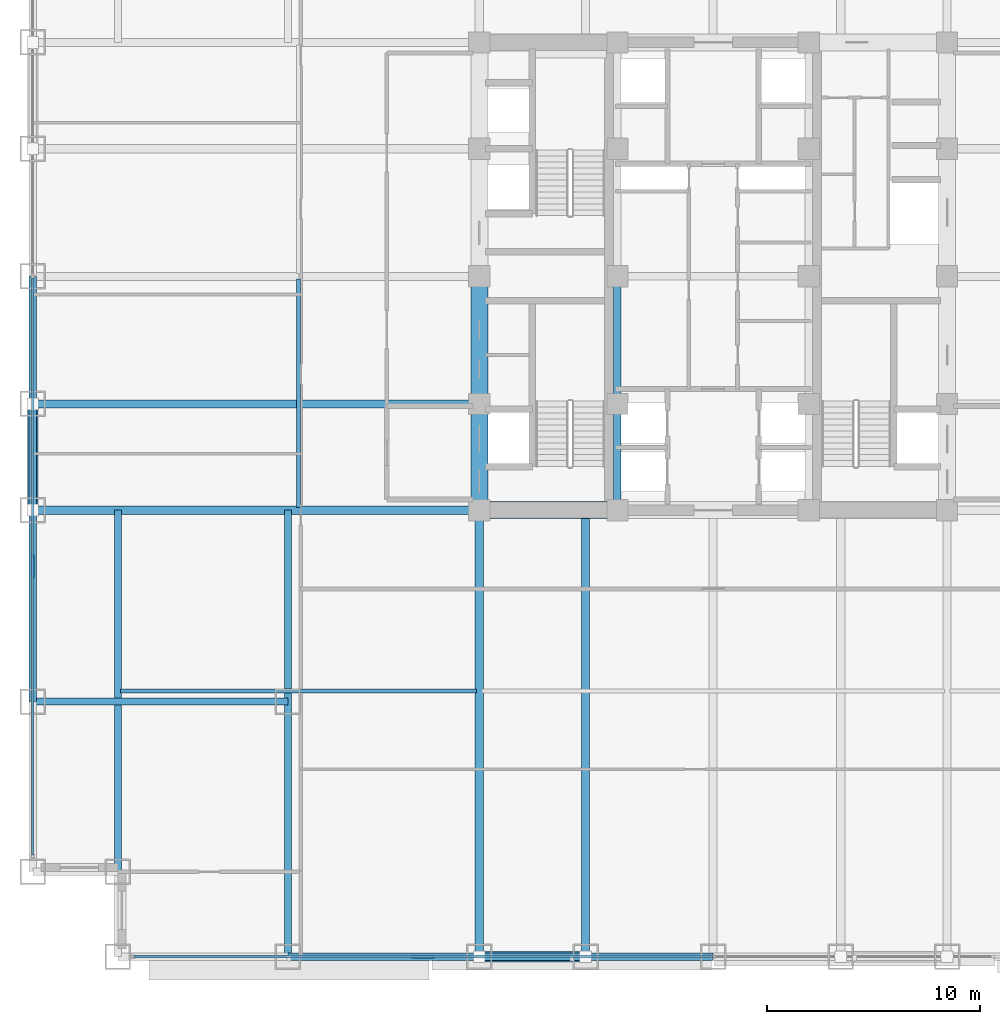
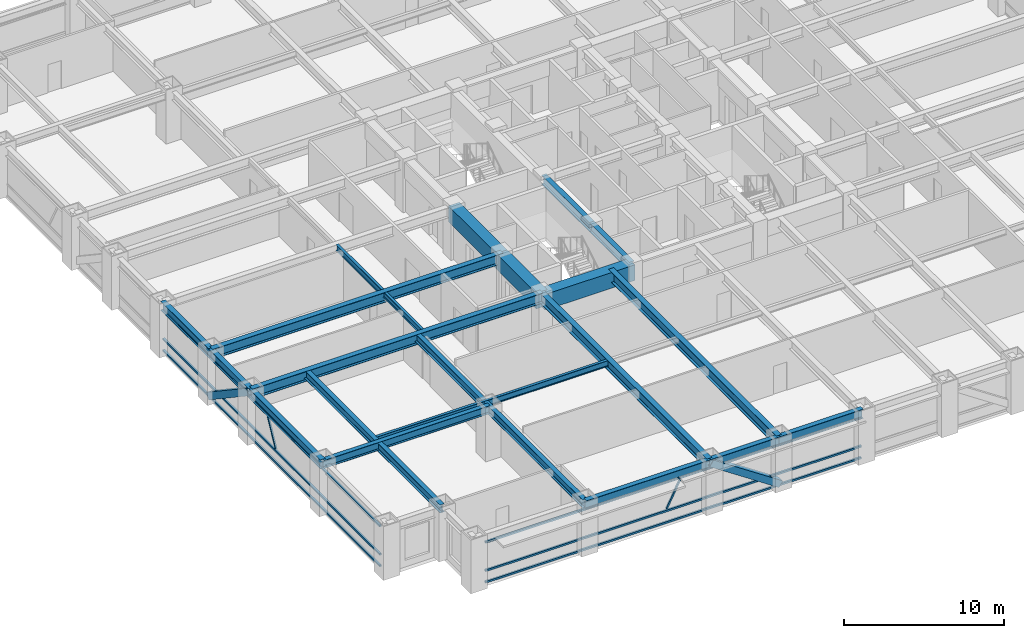
# One storey, part 3 of 32: 20 beams, 10 members, 2 elements without a shape of their own.
"""IFC4 building model written with IfcOpenShell, lengths in metres."""

from ifc_helpers import new_model, si_unit, direction, frame, origin, origin_2d, place, context, subcontext, project, spatial, rectangle, hollow_rectangle, i_section, extrude, source, transform, mapped, material, material_profile, profile_set, type_object, element, aggregate, save


model = new_model("IFC4")

# Units and contexts
model_context = context("Model", 3, precision=1e-05, world=origin(), true_north=direction((0.0, 1.0)))
body_context = subcontext(model_context, "Body", "Model", "MODEL_VIEW")
ifc_project = project(units=[si_unit("LENGTHUNIT", "METRE"), si_unit("AREAUNIT", "SQUARE_METRE"), si_unit("VOLUMEUNIT", "CUBIC_METRE"), si_unit("PLANEANGLEUNIT", "RADIAN"), si_unit("MASSUNIT", "GRAM", prefix="KILO")], contexts=[model_context])

# Site, building, storey
site_placement = place(None, origin())
site = spatial("IfcSite", under=ifc_project, at=site_placement, CompositionType="ELEMENT")
building_placement = place(site_placement, origin())
building = spatial("IfcBuilding", under=site, at=building_placement, Name="Khorayat Bourse Tower", CompositionType="ELEMENT")
storey_placement = place(building_placement, frame((0.0, 0.0, 95.5)))
storey = spatial("IfcBuildingStorey", under=building, at=storey_placement, Name="L21", CompositionType="ELEMENT", Elevation=95.5)

# Beams
ifc_material_1 = material(Name="Concrete C72/90", Category="concrete")
ifc_material_profile_1 = material_profile(ifc_material_1, rectangle(XDim=0.800048828125, YDim=1.199951171875, at=origin_2d()), Name="RC 800x1200")
ifc_profile_set_1 = profile_set([ifc_material_profile_1], Name="Concrete C72/90")
beam_type_1 = type_object("IfcBeamType", Name="BM-COUP-1200", PredefinedType="BEAM", material=ifc_profile_set_1)
shared_shape_1 = source(origin(), body_context, "Body", "SweptSolid", [
    extrude(rectangle(XDim=0.800048828125, YDim=1.199951171875, at=origin_2d()), origin(), (0.0, 0.0, 1.0), 5.0),
])
beam_1_placement = place(storey_placement, frame((-11.0, -11.0, 3.239990234375), z_axis=(0.0, 1.0, 0.0), x_axis=(-1.0, 0.0, 0.0)))
element("IfcBeam", 1, at=beam_1_placement, inside=storey, type_object=beam_type_1, Name="L21 BM-COUP-1200 BM-L21-CRX-01", PredefinedType="BEAM", context=body_context, shape_type="MappedRepresentation", body=[
    mapped(shared_shape_1, transform((0.0, 0.0, 0.0), scale=1.0)),
])
shared_shape_2 = source(origin(), body_context, "Body", "SweptSolid", [
    extrude(rectangle(XDim=0.800048828125, YDim=1.199951171875, at=origin_2d()), origin(), (0.0, 0.0, 1.0), 6.0),
])
beam_2_placement = place(storey_placement, frame((-11.0, -6.0, 3.239990234375), z_axis=(0.0, 1.0, 0.0), x_axis=(-1.0, 0.0, 0.0)))
element("IfcBeam", 2, at=beam_2_placement, inside=storey, type_object=beam_type_1, Name="L21 BM-COUP-1200 BM-L21-CRX-02", PredefinedType="BEAM", context=body_context, shape_type="MappedRepresentation", body=[
    mapped(shared_shape_2, transform((0.0, 0.0, 0.0), scale=1.0)),
])
ifc_material_2 = material(Name="Steel ASTM A992 Grade 50", Category="steel")
ifc_material_profile_2 = material_profile(ifc_material_2, i_section(OverallWidth=0.35498046875, OverallDepth=0.695068359375, WebThickness=0.015380859375, FlangeThickness=0.02490234375, FilletRadius=0.01806640625, at=origin_2d()), Name="W690X217")
ifc_profile_set_2 = profile_set([ifc_material_profile_2], Name="Steel ASTM A992 Grade 50")
beam_type_2 = type_object("IfcBeamType", Name="BM-GIRD-690", PredefinedType="BEAM", material=ifc_profile_set_2)
shared_shape_3 = source(origin(), body_context, "Body", "SweptSolid", [
    extrude(i_section(OverallWidth=0.35498046875, OverallDepth=0.695068359375, WebThickness=0.015380859375, FlangeThickness=0.02490234375, FilletRadius=0.01806640625, at=origin_2d()), origin(), (0.0, 0.0, 1.0), 5.0),
])
beam_3_placement = place(storey_placement, frame((-4.5, -11.0, 3.492431640625), z_axis=(0.0, 1.0, 0.0), x_axis=(-1.0, 0.0, 0.0)))
element("IfcBeam", 3, at=beam_3_placement, inside=storey, type_object=beam_type_2, Name="L21 BM-GIRD-690 BM-L21-CRX-05", PredefinedType="BEAM", context=body_context, shape_type="MappedRepresentation", body=[
    mapped(shared_shape_3, transform((0.0, 0.0, 0.0), scale=1.0)),
])
shared_shape_4 = source(origin(), body_context, "Body", "SweptSolid", [
    extrude(i_section(OverallWidth=0.35498046875, OverallDepth=0.695068359375, WebThickness=0.015380859375, FlangeThickness=0.02490234375, FilletRadius=0.01806640625, at=origin_2d()), origin(), (0.0, 0.0, 1.0), 6.0),
])
beam_4_placement = place(storey_placement, frame((-4.5, -6.0, 3.492431640625), z_axis=(0.0, 1.0, 0.0), x_axis=(-1.0, 0.0, 0.0)))
element("IfcBeam", 4, at=beam_4_placement, inside=storey, type_object=beam_type_2, Name="L21 BM-GIRD-690 BM-L21-CRX-06", PredefinedType="BEAM", context=body_context, shape_type="MappedRepresentation", body=[
    mapped(shared_shape_4, transform((0.0, 0.0, 0.0), scale=1.0)),
])
shared_shape_5 = source(origin(), body_context, "Body", "SweptSolid", [
    extrude(rectangle(XDim=0.800048828125, YDim=1.199951171875, at=origin_2d()), origin(), (0.0, 0.0, 1.0), 6.5),
])
beam_5_placement = place(storey_placement, frame((-11.0, -11.0, 3.239990234375), z_axis=(1.0, 0.0, 0.0), x_axis=(0.0, 1.0, 0.0)))
element("IfcBeam", 5, at=beam_5_placement, inside=storey, type_object=beam_type_1, Name="L21 BM-COUP-1200 BM-L21-CRY-17", PredefinedType="BEAM", context=body_context, shape_type="MappedRepresentation", body=[
    mapped(shared_shape_5, transform((0.0, 0.0, 0.0), scale=1.0)),
])
ifc_material_profile_3 = material_profile(ifc_material_2, i_section(OverallWidth=0.35498046875, OverallDepth=0.695068359375, WebThickness=0.015380859375, FlangeThickness=0.02490234375, FilletRadius=0.01806640625, at=origin_2d()), Name="W690X217")
ifc_profile_set_3 = profile_set([ifc_material_profile_3], Name="Steel ASTM A992 Grade 50")
beam_type_3 = type_object("IfcBeamType", Name="BM-SPAN-690", PredefinedType="SPANDREL", material=ifc_profile_set_3)
shared_shape_6 = source(origin(), body_context, "Body", "SweptSolid", [
    extrude(i_section(OverallWidth=0.35498046875, OverallDepth=0.695068359375, WebThickness=0.015380859375, FlangeThickness=0.02490234375, FilletRadius=0.01806640625, at=origin_2d()), origin(), (0.0, 0.0, 1.0), 9.0),
])
for number, where, z_axis, x_axis, name in (
    (6, (-20.0, -32.0, 3.492431640625), (1.0, 0.0, 0.0), (0.0, 1.0, 0.0), "L21 BM-SPAN-690 BM-L21-SPN-025"),
    (7, (-32.0, -20.0, 3.492431640625), (0.0, 1.0, 0.0), (-1.0, 0.0, 0.0), "L21 BM-SPAN-690 BM-L21-SPN-060"),
):
    element("IfcBeam", number, at=place(storey_placement, frame(where, z_axis=z_axis, x_axis=x_axis)), inside=storey, type_object=beam_type_3, Name=name, PredefinedType="SPANDREL", context=body_context, shape_type="MappedRepresentation", body=[
        mapped(shared_shape_6, transform((0.0, 0.0, 0.0), scale=1.0)),
    ])
shared_shape_7 = source(origin(), body_context, "Body", "SweptSolid", [
    extrude(i_section(OverallWidth=0.35498046875, OverallDepth=0.695068359375, WebThickness=0.015380859375, FlangeThickness=0.02490234375, FilletRadius=0.01806640625, at=origin_2d()), origin(), (0.0, 0.0, 1.0), 5.0),
])
for number, where, z_axis, x_axis, name in (
    (8, (-11.0, -32.0, 3.492431640625), (1.0, 0.0, 0.0), (0.0, 1.0, 0.0), "L21 BM-SPAN-690 BM-L21-SPN-026"),
    (9, (-32.0, -11.0, 3.492431640625), (0.0, 1.0, 0.0), (-1.0, 0.0, 0.0), "L21 BM-SPAN-690 BM-L21-SPN-059"),
):
    element("IfcBeam", number, at=place(storey_placement, frame(where, z_axis=z_axis, x_axis=x_axis)), inside=storey, type_object=beam_type_3, Name=name, PredefinedType="SPANDREL", context=body_context, shape_type="MappedRepresentation", body=[
        mapped(shared_shape_7, transform((0.0, 0.0, 0.0), scale=1.0)),
    ])
shared_shape_8 = source(origin(), body_context, "Body", "SweptSolid", [
    extrude(i_section(OverallWidth=0.35498046875, OverallDepth=0.695068359375, WebThickness=0.015380859375, FlangeThickness=0.02490234375, FilletRadius=0.01806640625, at=origin_2d()), origin(), (0.0, 0.0, 1.0), 6.0),
])
for number, where, z_axis, x_axis, name in (
    (10, (-6.0, -32.0, 3.492431640625), (1.0, 0.0, 0.0), (0.0, 1.0, 0.0), "L21 BM-SPAN-690 BM-L21-SPN-027"),
    (11, (-32.0, -6.0, 3.492431640625), (0.0, 1.0, 0.0), (-1.0, 0.0, 0.0), "L21 BM-SPAN-690 BM-L21-SPN-058"),
):
    element("IfcBeam", number, at=place(storey_placement, frame(where, z_axis=z_axis, x_axis=x_axis)), inside=storey, type_object=beam_type_3, Name=name, PredefinedType="SPANDREL", context=body_context, shape_type="MappedRepresentation", body=[
        mapped(shared_shape_8, transform((0.0, 0.0, 0.0), scale=1.0)),
    ])
ifc_material_profile_4 = material_profile(ifc_material_2, i_section(OverallWidth=0.324951171875, OverallDepth=0.615966796875, WebThickness=0.013916015625, FlangeThickness=0.021484375, FilletRadius=0.01611328125, at=origin_2d()), Name="W610X174")
ifc_profile_set_4 = profile_set([ifc_material_profile_4], Name="Steel ASTM A992 Grade 50")
beam_type_4 = type_object("IfcBeamType", Name="BM-GIRD-610", PredefinedType="BEAM", material=ifc_profile_set_4)
shared_shape_9 = source(origin(), body_context, "Body", "SweptSolid", [
    extrude(i_section(OverallWidth=0.324951171875, OverallDepth=0.615966796875, WebThickness=0.013916015625, FlangeThickness=0.021484375, FilletRadius=0.01611328125, at=origin_2d()), origin(), (0.0, 0.0, 1.0), 21.0),
])
beam_6_placement = place(storey_placement, frame((-20.0, -32.0, 3.531982421875), z_axis=(0.0, 1.0, 0.0), x_axis=(-1.0, 0.0, 0.0)))
element("IfcBeam", 12, at=beam_6_placement, inside=storey, type_object=beam_type_4, Name="L21 BM-GIRD-610 BM-L21-CNRY-084", PredefinedType="BEAM", context=body_context, shape_type="MappedRepresentation", body=[
    mapped(shared_shape_9, transform((0.0, 0.0, 0.0), scale=1.0)),
])
shared_shape_10 = source(origin(), body_context, "Body", "SweptSolid", [
    extrude(i_section(OverallWidth=0.324951171875, OverallDepth=0.615966796875, WebThickness=0.013916015625, FlangeThickness=0.021484375, FilletRadius=0.01611328125, at=origin_2d()), origin(), (0.0, 0.0, 1.0), 12.0),
])
beam_7_placement = place(storey_placement, frame((-32.0, -20.0, 3.531982421875), z_axis=(1.0, 0.0, 0.0), x_axis=(0.0, 1.0, 0.0)))
element("IfcBeam", 13, at=beam_7_placement, inside=storey, type_object=beam_type_4, Name="L21 BM-GIRD-610 BM-L21-CNRX-093", PredefinedType="BEAM", context=body_context, shape_type="MappedRepresentation", body=[
    mapped(shared_shape_10, transform((0.0, 0.0, 0.0), scale=1.0)),
])
ifc_material_profile_5 = material_profile(ifc_material_2, i_section(OverallWidth=0.194091796875, OverallDepth=0.468994140625, WebThickness=0.0126953125, FlangeThickness=0.0205078125, FilletRadius=0.012939453125, at=origin_2d()), Name="W460X106")
ifc_profile_set_5 = profile_set([ifc_material_profile_5], Name="Steel ASTM A992 Grade 50")
beam_type_5 = type_object("IfcBeamType", Name="BM-JOIST-460", PredefinedType="JOIST", material=ifc_profile_set_5)
shared_shape_11 = source(origin(), body_context, "Body", "SweptSolid", [
    extrude(i_section(OverallWidth=0.194091796875, OverallDepth=0.468994140625, WebThickness=0.0126953125, FlangeThickness=0.0205078125, FilletRadius=0.012939453125, at=origin_2d()), origin(), (0.0, 0.0, 1.0), 10.740234375),
])
beam_8_placement = place(storey_placement, frame((-19.5, -10.8701171875, 3.60546875), z_axis=(0.0, 1.0, 0.0), x_axis=(-1.0, 0.0, 0.0)))
element("IfcBeam", 14, at=beam_8_placement, inside=storey, type_object=beam_type_5, Name="L21 BM-JOIST-460 BM-L21-JSTY-102", PredefinedType="JOIST", context=body_context, shape_type="MappedRepresentation", body=[
    mapped(shared_shape_11, transform((0.0, 0.0, 0.0), scale=1.0)),
])
ifc_material_profile_6 = material_profile(ifc_material_2, i_section(OverallWidth=0.381103515625, OverallDepth=0.77294921875, WebThickness=0.0166015625, FlangeThickness=0.027587890625, FilletRadius=0.01806640625, at=origin_2d()), Name="W760X257")
ifc_profile_set_6 = profile_set([ifc_material_profile_6], Name="Steel ASTM A992 Grade 50")
beam_type_6 = type_object("IfcBeamType", Name="BM-GIRD-760", PredefinedType="BEAM", material=ifc_profile_set_6)
shared_shape_12 = source(origin(), body_context, "Body", "SweptSolid", [
    extrude(i_section(OverallWidth=0.381103515625, OverallDepth=0.77294921875, WebThickness=0.0166015625, FlangeThickness=0.027587890625, FilletRadius=0.01806640625, at=origin_2d()), origin(), (0.0, 0.0, 1.0), 21.0),
])
for number, where, z_axis, x_axis, name in (
    (15, (-11.0, -32.0, 3.45361328125), (0.0, 1.0, 0.0), (-1.0, 0.0, 0.0), "L21 BM-GIRD-760 BM-L21-RADY-065"),
    (16, (-6.0, -32.0, 3.45361328125), (0.0, 1.0, 0.0), (-1.0, 0.0, 0.0), "L21 BM-GIRD-760 BM-L21-RADY-067"),
    (17, (-32.0, -11.0, 3.45361328125), (1.0, 0.0, 0.0), (0.0, 1.0, 0.0), "L21 BM-GIRD-760 BM-L21-RADX-075"),
    (18, (-32.0, -6.0, 3.45361328125), (1.0, 0.0, 0.0), (0.0, 1.0, 0.0), "L21 BM-GIRD-760 BM-L21-RADX-077"),
):
    element("IfcBeam", number, at=place(storey_placement, frame(where, z_axis=z_axis, x_axis=x_axis)), inside=storey, type_object=beam_type_6, Name=name, PredefinedType="BEAM", context=body_context, shape_type="MappedRepresentation", body=[
        mapped(shared_shape_12, transform((0.0, 0.0, 0.0), scale=1.0)),
    ])
shared_shape_13 = source(origin(), body_context, "Body", "SweptSolid", [
    extrude(i_section(OverallWidth=0.324951171875, OverallDepth=0.615966796875, WebThickness=0.013916015625, FlangeThickness=0.021484375, FilletRadius=0.01611328125, at=origin_2d()), origin(), (0.0, 0.0, 1.0), 17.0),
])
beam_9_placement = place(storey_placement, frame((-28.0, -28.0, 3.531982421875), z_axis=(0.0, 1.0, 0.0), x_axis=(-1.0, 0.0, 0.0)))
element("IfcBeam", 19, at=beam_9_placement, inside=storey, type_object=beam_type_4, Name="L21 BM-GIRD-610 BM-L21-CNRY-088", PredefinedType="BEAM", context=body_context, shape_type="MappedRepresentation", body=[
    mapped(shared_shape_13, transform((0.0, 0.0, 0.0), scale=1.0)),
])
shared_shape_14 = source(origin(), body_context, "Body", "SweptSolid", [
    extrude(i_section(OverallWidth=0.194091796875, OverallDepth=0.468994140625, WebThickness=0.0126953125, FlangeThickness=0.0205078125, FilletRadius=0.012939453125, at=origin_2d()), origin(), (0.0, 0.0, 1.0), 16.740234375),
])
beam_10_placement = place(storey_placement, frame((-27.8701171875, -19.5, 3.60546875), z_axis=(1.0, 0.0, 0.0), x_axis=(0.0, 1.0, 0.0)))
element("IfcBeam", 20, at=beam_10_placement, inside=storey, type_object=beam_type_5, Name="L21 BM-JOIST-460 BM-L21-JSTX-096", PredefinedType="JOIST", context=body_context, shape_type="MappedRepresentation", body=[
    mapped(shared_shape_14, transform((0.0, 0.0, 0.0), scale=1.0)),
])

# Members
ifc_material_3 = material(Name="Steel EN 10025-4 S460M", Category="steel")
ifc_material_profile_7 = material_profile(ifc_material_3, hollow_rectangle(XDim=0.5, YDim=0.5, WallThickness=0.028076171875, at=origin_2d()), Name="HSS 500x500x28")
ifc_profile_set_7 = profile_set([ifc_material_profile_7], Name="Steel EN 10025-4 S460M")
member_type_1 = type_object("IfcMemberType", Name="MBR-TUBE-500", PredefinedType="BRACE", material=ifc_profile_set_7)
shared_shape_15 = source(origin(), body_context, "Body", "SweptSolid", [
    extrude(hollow_rectangle(XDim=0.5, YDim=0.5, WallThickness=0.028076171875, at=origin_2d()), origin(), (0.0, 0.0, 1.0), 6.012939453125),
])
for number, where, z_axis, x_axis, name in (
    (21, (-11.0, -32.0, 3.590087890625), (0.831531473026, 0.0, -0.555477640745), (0.0, 1.0, 0.0), "L21 Perimeter Tube Brace 01"),
    (22, (-32.0, -11.0, 3.590087890625), (0.0, 0.831531473026, -0.555477640745), (-1.0, 0.0, 0.0), "L21 Perimeter Tube Brace 05"),
):
    element("IfcMember", number, at=place(storey_placement, frame(where, z_axis=z_axis, x_axis=x_axis)), inside=storey, type_object=member_type_1, Name=name, PredefinedType="BRACE", context=body_context, shape_type="MappedRepresentation", body=[
        mapped(shared_shape_15, transform((0.0, 0.0, 0.0), scale=1.0)),
    ])

# Curtain wall, members
ifc_material_4 = material(Name="Aluminium EN AW-6063 T6", Category="aluminium")
curtain_wall_type = type_object("IfcCurtainWallType", Name="CW-SYS-02", PredefinedType="NOTDEFINED", material=ifc_material_4)
curtain_wall_1_placement = place(storey_placement, origin())
curtain_wall_1 = element("IfcCurtainWall", 23, at=curtain_wall_1_placement, inside=storey, type_object=curtain_wall_type, Name="L21 Curtain Wall CW-L21-S1", PredefinedType="NOTDEFINED")
ifc_material_profile_8 = material_profile(ifc_material_4, hollow_rectangle(XDim=0.139892578125, YDim=0.139892578125, WallThickness=0.006103515625, at=origin_2d()), Name="ALU 140x140x6")
ifc_profile_set_8 = profile_set([ifc_material_profile_8], Name="Aluminium EN AW-6063 T6")
member_type_2 = type_object("IfcMemberType", Name="CWT-HORZ-140", PredefinedType="USERDEFINED", material=ifc_profile_set_8)
shared_shape_16 = source(origin(), body_context, "Body", "SweptSolid", [
    extrude(hollow_rectangle(XDim=0.139892578125, YDim=0.139892578125, WallThickness=0.006103515625, at=origin_2d()), origin(), (0.0, 0.0, 1.0), 27.139892578125),
])
member_1_placement = place(storey_placement, frame((-27.2099609375, -32.0, 0.070068359375), z_axis=(1.0, 0.0, 0.0), x_axis=(0.0, 1.0, 0.0)))
member_1 = element("IfcMember", 24, at=member_1_placement, type_object=member_type_2, Name="CW-L21-S1 Horizontal Transom 1-1", ObjectType="TRANSOM", PredefinedType="USERDEFINED", context=body_context, shape_type="MappedRepresentation", body=[
    mapped(shared_shape_16, transform((0.0, 0.0, 0.0), scale=1.0)),
])
member_2_placement = place(storey_placement, frame((-27.2099609375, -32.0, 0.949951171875), z_axis=(1.0, 0.0, 0.0), x_axis=(0.0, 1.0, 0.0)))
member_2 = element("IfcMember", 25, at=member_2_placement, type_object=member_type_2, Name="CW-L21-S1 Horizontal Transom 1-2", ObjectType="TRANSOM", PredefinedType="USERDEFINED", context=body_context, shape_type="MappedRepresentation", body=[
    mapped(shared_shape_16, transform((0.0, 0.0, 0.0), scale=1.0)),
])
member_3_placement = place(storey_placement, frame((-27.2099609375, -32.0, 3.1201171875), z_axis=(1.0, 0.0, 0.0), x_axis=(0.0, 1.0, 0.0)))
member_3 = element("IfcMember", 26, at=member_3_placement, type_object=member_type_2, Name="CW-L21-S1 Horizontal Transom 1-3", ObjectType="TRANSOM", PredefinedType="USERDEFINED", context=body_context, shape_type="MappedRepresentation", body=[
    mapped(shared_shape_16, transform((0.0, 0.0, 0.0), scale=1.0)),
])

curtain_wall_2_placement = place(storey_placement, origin())
curtain_wall_2 = element("IfcCurtainWall", 27, at=curtain_wall_2_placement, inside=storey, type_object=curtain_wall_type, Name="L21 Curtain Wall CW-L21-W1", PredefinedType="NOTDEFINED")
member_4_placement = place(storey_placement, frame((-32.0, -27.2099609375, 0.070068359375), z_axis=(0.0, 1.0, 0.0), x_axis=(-1.0, 0.0, 0.0)))
member_4 = element("IfcMember", 28, at=member_4_placement, type_object=member_type_2, Name="CW-L21-W1 Horizontal Transom 1-1", ObjectType="TRANSOM", PredefinedType="USERDEFINED", context=body_context, shape_type="MappedRepresentation", body=[
    mapped(shared_shape_16, transform((0.0, 0.0, 0.0), scale=1.0)),
])
member_5_placement = place(storey_placement, frame((-32.0, -27.2099609375, 0.949951171875), z_axis=(0.0, 1.0, 0.0), x_axis=(-1.0, 0.0, 0.0)))
member_5 = element("IfcMember", 29, at=member_5_placement, type_object=member_type_2, Name="CW-L21-W1 Horizontal Transom 1-2", ObjectType="TRANSOM", PredefinedType="USERDEFINED", context=body_context, shape_type="MappedRepresentation", body=[
    mapped(shared_shape_16, transform((0.0, 0.0, 0.0), scale=1.0)),
])
member_6_placement = place(storey_placement, frame((-32.0, -27.2099609375, 3.1201171875), z_axis=(0.0, 1.0, 0.0), x_axis=(-1.0, 0.0, 0.0)))
member_6 = element("IfcMember", 30, at=member_6_placement, type_object=member_type_2, Name="CW-L21-W1 Horizontal Transom 1-3", ObjectType="TRANSOM", PredefinedType="USERDEFINED", context=body_context, shape_type="MappedRepresentation", body=[
    mapped(shared_shape_16, transform((0.0, 0.0, 0.0), scale=1.0)),
])

# Member
ifc_material_profile_9 = material_profile(ifc_material_4, hollow_rectangle(XDim=0.1201171875, YDim=0.1201171875, WallThickness=0.0048828125, at=origin_2d()), Name="ALU 120x120x5")
ifc_profile_set_9 = profile_set([ifc_material_profile_9], Name="Aluminium EN AW-6063 T6")
member_type_3 = type_object("IfcMemberType", Name="CWM-DIAG-120", PredefinedType="MULLION", material=ifc_profile_set_9)
shared_shape_17 = source(origin(), body_context, "Body", "SweptSolid", [
    extrude(hollow_rectangle(XDim=0.1201171875, YDim=0.1201171875, WallThickness=0.0048828125, at=origin_2d()), origin(), (0.0, 0.0, 1.0), 2.113037109375),
])
member_7_placement = place(storey_placement, frame((-14.132080078125, -32.0, 1.10009765625), z_axis=(0.465741670874, 0.0, 0.884920728659), x_axis=(0.0, 1.0, 0.0)))
member_7 = element("IfcMember", 31, at=member_7_placement, type_object=member_type_3, Name="CW-L21-S1 Faceted Diagonal Mullion 1", PredefinedType="MULLION", context=body_context, shape_type="MappedRepresentation", body=[
    mapped(shared_shape_17, transform((0.0, 0.0, 0.0), scale=1.0)),
])

aggregate(curtain_wall_1, [member_1, member_2, member_3, member_7])

member_8_placement = place(storey_placement, frame((-32.0, -14.132080078125, 1.10009765625), z_axis=(0.0, 0.465741670874, 0.884920728659), x_axis=(-1.0, 0.0, 0.0)))
member_8 = element("IfcMember", 32, at=member_8_placement, type_object=member_type_3, Name="CW-L21-W1 Faceted Diagonal Mullion 1", PredefinedType="MULLION", context=body_context, shape_type="MappedRepresentation", body=[
    mapped(shared_shape_17, transform((0.0, 0.0, 0.0), scale=1.0)),
])

aggregate(curtain_wall_2, [member_4, member_5, member_6, member_8])

save(model, "model.ifc")
